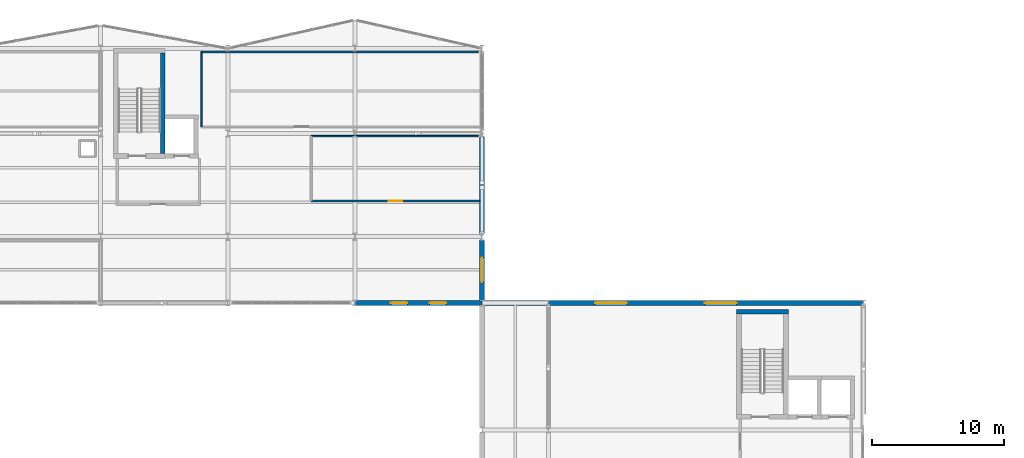
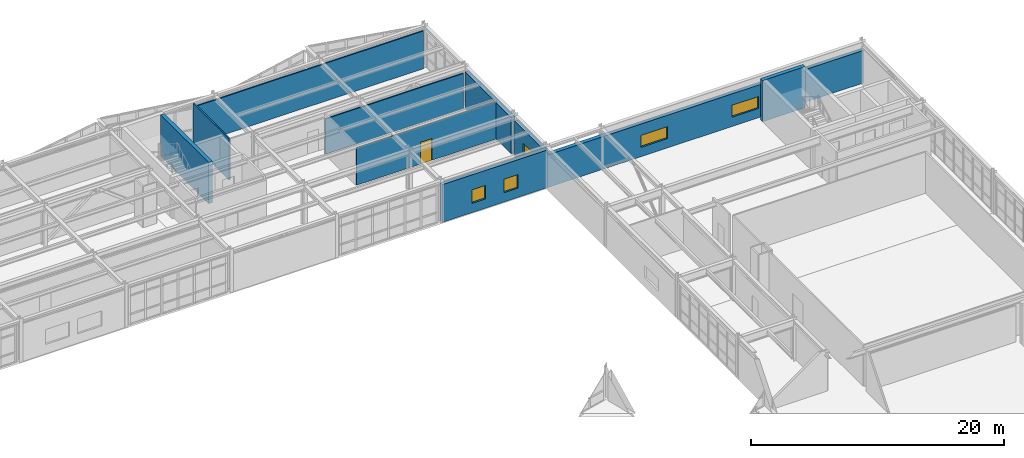
# One storey, part 76 of 88: 10 walls, 5 windows, 1 door, 6 openings.
"""IFC4 building model written with IfcOpenShell, lengths in metres."""

import ifcopenshell
import ifcopenshell.guid

model = None  # the IFC model being written
_history = None  # IfcOwnerHistory: only IFC2X3 demands one
_inside = {}  # id of a spatial element -> (the spatial element, [elements in it])
_under = {}  # id of a project, library or spatial element -> (it, [spatial elements below it])
_declared = {}  # id of a project -> (the project, [libraries it declares])
_typed = {}  # id of a type object -> (the type object, [elements of that type])
_made_of = {}  # id of a material, layer set ... -> (it, [elements and type objects made of it])


def new_model(schema):
    """Start an empty IFC model of exactly this schema.

    Asked for "IFC4X3", IfcOpenShell would pick the latest addendum, in which some entities
    have other attributes; the version numbers below select the first issue.
    IFC2X3 requires an IfcOwnerHistory on every rooted entity: one is made here for all.
    """
    global model, _history
    if schema == "IFC4X3":
        model = ifcopenshell.file(schema_version=(4, 3, 0, 0))
    else:
        model = ifcopenshell.file(schema=schema)
    _inside.clear()
    _under.clear()
    _declared.clear()
    _typed.clear()
    _made_of.clear()
    _history = None
    if model.schema == "IFC2X3":
        org = make("IfcOrganization", Name="unknown")
        user = make(
            "IfcPersonAndOrganization",
            ThePerson=make("IfcPerson", FamilyName="unknown"),
            TheOrganization=org,
        )
        app = make(
            "IfcApplication",
            ApplicationDeveloper=org,
            Version="unknown",
            ApplicationFullName="unknown",
            ApplicationIdentifier="unknown",
        )
        _history = make(
            "IfcOwnerHistory",
            OwningUser=user,
            OwningApplication=app,
            ChangeAction="ADDED",
            CreationDate=0,
        )
    return model


def make(cls, **values):
    """One entity of the class cls with the attributes given. An attribute that is None is left unset."""
    return model.create_entity(
        cls, **{name: value for name, value in values.items() if value is not None}
    )


def rooted(cls, **values):
    """An entity with a GlobalId (a new one), such as an element, a storey or a relation."""
    return make(cls, GlobalId=ifcopenshell.guid.new(), OwnerHistory=_history, **values)


def si_unit(unit_type, name, prefix=None):
    """IfcSIUnit, for example si_unit("LENGTHUNIT", "METRE", prefix="MILLI")."""
    return make("IfcSIUnit", UnitType=unit_type, Prefix=prefix, Name=name)


def assignment(units):
    """IfcUnitAssignment: the units of a project."""
    return None if units is None else make("IfcUnitAssignment", Units=units)


def point(xyz):
    """IfcCartesianPoint."""
    return None if xyz is None else make("IfcCartesianPoint", Coordinates=xyz)


def direction(xyz):
    """IfcDirection."""
    return None if xyz is None else make("IfcDirection", DirectionRatios=xyz)


def frame(location, z_axis=None, x_axis=None):
    """IfcAxis2Placement3D, a coordinate frame: its origin and axes. An axis left out is left unset."""
    return make(
        "IfcAxis2Placement3D",
        Location=point(location),
        Axis=direction(z_axis),
        RefDirection=direction(x_axis),
    )


def frame_2d(location, x_axis=None):
    """IfcAxis2Placement2D, a coordinate frame in the plane: its origin and x axis."""
    return make(
        "IfcAxis2Placement2D", Location=point(location), RefDirection=direction(x_axis)
    )


def origin():
    """The frame at (0, 0, 0) with its axes left unset."""
    return frame((0.0, 0.0, 0.0))


def place(relative_to, where):
    """IfcLocalPlacement: puts the frame where relative to a parent placement (None: the world)."""
    return make(
        "IfcLocalPlacement", PlacementRelTo=relative_to, RelativePlacement=where
    )


def context(
    kind, dimensions, precision=None, world=None, true_north=None, identifier=None
):
    """IfcGeometricRepresentationContext, for example the 3D "Model" context."""
    return make(
        "IfcGeometricRepresentationContext",
        ContextIdentifier=identifier,
        ContextType=kind,
        CoordinateSpaceDimension=dimensions,
        Precision=precision,
        WorldCoordinateSystem=world,
        TrueNorth=true_north,
    )


def subcontext(parent, identifier, kind, view, scale=None):
    """IfcGeometricRepresentationSubContext, for example "Body" below "Model"."""
    return make(
        "IfcGeometricRepresentationSubContext",
        ContextIdentifier=identifier,
        ContextType=kind,
        ParentContext=parent,
        TargetScale=scale,
        TargetView=view,
    )


def project(units=None, contexts=None):
    """IfcProject with its units and contexts."""
    return rooted(
        "IfcProject",
        Name="project",
        RepresentationContexts=contexts,
        UnitsInContext=assignment(units),
    )


def spatial(cls, under=None, at=None, **own):
    """A site, building, storey or space (cls), placed at a placement, below another one or the project."""
    s = rooted(cls, ObjectPlacement=at, **own)
    if under is not None:
        _under.setdefault(under.id(), (under, []))[1].append(s)
    return s


def profile(cls, at=None, kind="AREA", **sizes):
    """A parametric profile (cls). Its sizes go by their IFC names, for example OverallWidth=200.0."""
    return make(cls, ProfileType=kind, Position=at, **sizes)


def rectangle(**sizes):
    """IfcRectangleProfileDef."""
    return profile("IfcRectangleProfileDef", **sizes)


def extrude(swept, where, along, depth):
    """IfcExtrudedAreaSolid: the profile swept, set in the frame where, extruded along a direction by depth."""
    return make(
        "IfcExtrudedAreaSolid",
        SweptArea=swept,
        Position=where,
        ExtrudedDirection=direction(along),
        Depth=depth,
    )


def shape(context_of_items, identifier, shape_type, items):
    """IfcShapeRepresentation: the items that make up one representation, for example the "Body"."""
    return make(
        "IfcShapeRepresentation",
        ContextOfItems=context_of_items,
        RepresentationIdentifier=identifier,
        RepresentationType=shape_type,
        Items=items,
    )


def material(Name=None, Category=None):
    """IfcMaterial."""
    return make("IfcMaterial", Name=Name, Category=Category)


def layer(
    of_material, thickness, ventilated=None, Name=None, Category=None, Priority=None
):
    """IfcMaterialLayer: one layer of a wall or slab, of a material (None: an air gap)."""
    return make(
        "IfcMaterialLayer",
        Material=of_material,
        LayerThickness=thickness,
        IsVentilated=ventilated,
        Name=Name,
        Category=Category,
        Priority=Priority,
    )


def layer_set(layers, Name=None):
    """IfcMaterialLayerSet."""
    return make("IfcMaterialLayerSet", MaterialLayers=layers, LayerSetName=Name)


def made_of(thing, what):
    """Note that an element or type object is made of a material, layer set ...; save() writes the relation."""
    if what is not None:
        _made_of.setdefault(what.id(), (what, []))[1].append(thing)
    return thing


def type_object(cls, material=None, **own):
    """A type object (cls), such as IfcWallType, which elements share."""
    return made_of(rooted(cls, **own), material)


def element(
    cls,
    number,
    at=None,
    inside=None,
    cuts=None,
    type_object=None,
    material=None,
    context=None,
    identifier="Body",
    shape_type=None,
    held_by="IfcProductDefinitionShape",
    body=None,
    shapes=None,
    **own,
):
    """One element of the class cls, such as IfcWall. Its Tag is "e" and its number.

    at: its placement. inside: the storey or other place that contains it. cuts: it is an
    opening in that element (IfcRelVoidsElement). A single representation is given by context,
    identifier, shape_type and body (its items); several are given by shapes. held_by: the class
    of the entity that holds the representations. save() writes the other relations.
    """
    e = rooted(cls, Tag="e%d" % number, ObjectPlacement=at, **own)
    if body is not None:
        shapes = [shape(context, identifier, shape_type, body)]
    if shapes is not None:
        e.Representation = make(held_by, Representations=shapes)
    if inside is not None:
        _inside.setdefault(inside.id(), (inside, []))[1].append(e)
    if cuts is not None:
        rooted(
            "IfcRelVoidsElement", RelatingBuildingElement=cuts, RelatedOpeningElement=e
        )
    if type_object is not None:
        _typed.setdefault(type_object.id(), (type_object, []))[1].append(e)
    return made_of(e, material)


def fill(opening, filler):
    """IfcRelFillsElement: the door or window that sits in an opening."""
    return rooted(
        "IfcRelFillsElement",
        RelatingOpeningElement=opening,
        RelatedBuildingElement=filler,
    )


def aggregate(whole, parts):
    """IfcRelAggregates: a whole, such as a stair, and the parts it consists of."""
    return rooted("IfcRelAggregates", RelatingObject=whole, RelatedObjects=parts)


def save(model, path):
    """Write the relations noted so far, then the file.

    IfcRelAggregates (storeys below a building ...), IfcRelContainedInSpatialStructure (elements
    in a storey), IfcRelDefinesByType, IfcRelAssociatesMaterial and IfcRelDeclares: one each for
    every whole, place, type object, material and project.
    """
    for whole, parts in _under.values():
        aggregate(whole, parts)
    for where, things in _inside.values():
        rooted(
            "IfcRelContainedInSpatialStructure",
            RelatedElements=things,
            RelatingStructure=where,
        )
    for kind, things in _typed.values():
        rooted("IfcRelDefinesByType", RelatedObjects=things, RelatingType=kind)
    for what, things in _made_of.values():
        rooted("IfcRelAssociatesMaterial", RelatedObjects=things, RelatingMaterial=what)
    for by, libraries in _declared.values():
        rooted("IfcRelDeclares", RelatingContext=by, RelatedDefinitions=libraries)
    model.write(path)


model = new_model("IFC4")

# Units and contexts
model_context = context("Model", 3, precision=1e-05, world=origin(), true_north=direction((0.0, 1.0)))
body_context = subcontext(model_context, "Body", "Model", "MODEL_VIEW")
ifc_project = project(units=[si_unit("LENGTHUNIT", "METRE"), si_unit("AREAUNIT", "SQUARE_METRE"), si_unit("VOLUMEUNIT", "CUBIC_METRE"), si_unit("PLANEANGLEUNIT", "RADIAN"), si_unit("MASSUNIT", "GRAM", prefix="KILO")], contexts=[model_context])

# Site, building, storey
site_placement = place(None, origin())
site = spatial("IfcSite", under=ifc_project, at=site_placement, CompositionType="ELEMENT")
building_placement = place(site_placement, origin())
building = spatial("IfcBuilding", under=site, at=building_placement, Name="Nordkorset Police Headquarters", CompositionType="ELEMENT")
storey_placement = place(building_placement, frame((0.0, 0.0, 9.449951171875)))
storey = spatial("IfcBuildingStorey", under=building, at=storey_placement, Name="L02", CompositionType="ELEMENT", Elevation=9.449951171875)

# Walls
ifc_material_1 = material(Name="Concrete C35/45", Category="concrete")
ifc_layer_1 = layer(ifc_material_1, 0.35009765625, Name="Concrete C35/45")
ifc_layer_set_1 = layer_set([ifc_layer_1], Name="Concrete C35/45")
wall_type_1 = type_object("IfcWallType", Name="Wall_CoreShear_350", PredefinedType="SHEAR", material=ifc_layer_set_1)
wall_1_placement = place(storey_placement, frame((62.300048828125, 108.875, 0.0), z_axis=(0.0, 0.0, 1.0), x_axis=(0.0, 1.0, 0.0)))
element("IfcWall", 1, at=wall_1_placement, inside=storey, type_object=wall_type_1, Name="Core K2 Stair Shaft East Shear Wall L02", PredefinedType="SHEAR", context=body_context, shape_type="SweptSolid", body=[
    extrude(rectangle(XDim=7.60009765625, YDim=0.35009765625, at=frame_2d((3.800048828125, 0.0))), origin(), (0.0, 0.0, 1.0), 3.969970703125),
])
wall_2_placement = place(storey_placement, frame((105.625, 96.949951171875, 0.0), z_axis=(0.0, 0.0, 1.0), x_axis=(1.0, 0.0, 0.0)))
element("IfcWall", 2, at=wall_2_placement, inside=storey, type_object=wall_type_1, Name="Core K5 Stair Shaft North Shear Wall L02", PredefinedType="SHEAR", context=body_context, shape_type="SweptSolid", body=[
    extrude(rectangle(XDim=3.89990234375, YDim=0.35009765625, at=frame_2d((1.949951171875, 0.0))), origin(), (0.0, 0.0, 1.0), 3.969970703125),
])

# Wall, openings, windows
ifc_material_2 = material(Name="Precast concrete C40/50", Category="concrete")
ifc_layer_2 = layer(ifc_material_2, 0.360107421875, Name="Precast concrete C40/50")
ifc_layer_set_2 = layer_set([ifc_layer_2], Name="Precast concrete C40/50")
wall_type_2 = type_object("IfcWallType", Name="Wall_ExtPrecast_360", PredefinedType="SOLIDWALL", material=ifc_layer_set_2)
wall_3_placement = place(storey_placement, frame((76.808837890625, 97.60009765625, 0.0), z_axis=(0.0, 0.0, 1.0), x_axis=(1.0, 0.0, 0.0)))
wall_3 = element("IfcWall", 3, at=wall_3_placement, inside=storey, type_object=wall_type_2, Name="Exterior Insulated Precast Wall L02 V2S-5", PredefinedType="SOLIDWALL", context=body_context, shape_type="SweptSolid", body=[
    extrude(rectangle(XDim=9.58251953125, YDim=0.360107421875, at=frame_2d((4.791259765625, 0.0))), origin(), (0.0, 0.0, 1.0), 3.635009765625),
])
opening_1_placement = place(wall_3_placement, frame((2.69970703125, 0.0, 0.89990234375)))
opening_1 = element("IfcOpeningElement", 4, at=opening_1_placement, cuts=wall_3, Name="Opening WN-03", PredefinedType="OPENING", context=body_context, shape_type="SweptSolid", body=[
    extrude(rectangle(XDim=1.25, YDim=1.300048828125, at=frame_2d((0.625, 0.64990234375))), frame((0.0, 0.18994140625, 0.0), z_axis=(0.0, -1.0, 0.0), x_axis=(1.0, 0.0, 0.0)), (0.0, 0.0, 1.0), 0.380126953125),
])
opening_2_placement = place(wall_3_placement, frame((5.633056640625, 0.0, 0.89990234375)))
opening_2 = element("IfcOpeningElement", 5, at=opening_2_placement, cuts=wall_3, Name="Opening WN-03", PredefinedType="OPENING", context=body_context, shape_type="SweptSolid", body=[
    extrude(rectangle(XDim=1.25, YDim=1.300048828125, at=frame_2d((0.625, 0.64990234375))), frame((0.0, 0.18994140625, 0.0), z_axis=(0.0, -1.0, 0.0), x_axis=(1.0, 0.0, 0.0)), (0.0, 0.0, 1.0), 0.380126953125),
])
ifc_material_3 = material(Name="Low-iron triple glazing", Category="glass")
window_type_1 = type_object("IfcWindowType", Name="Win_1250x1300", PartitioningType="SINGLE_PANEL", PredefinedType="WINDOW", material=ifc_material_3)
window_1_placement = place(opening_1_placement, origin())
window_1 = element("IfcWindow", 6, at=window_1_placement, inside=storey, type_object=window_type_1, Name="Triple-Glazed Exterior Window L02 V2S-5-1", OverallHeight=1.300048828125, OverallWidth=1.25, PartitioningType="SINGLE_PANEL", PredefinedType="WINDOW", context=body_context, shape_type="SweptSolid", body=[
    extrude(rectangle(XDim=1.25, YDim=1.300048828125, at=frame_2d((0.625, 0.64990234375))), frame((0.0, 0.030029296875, 0.0), z_axis=(0.0, -1.0, 0.0), x_axis=(1.0, 0.0, 0.0)), (0.0, 0.0, 1.0), 0.06005859375),
])
fill(opening_1, window_1)
window_2_placement = place(opening_2_placement, origin())
window_2 = element("IfcWindow", 7, at=window_2_placement, inside=storey, type_object=window_type_1, Name="Triple-Glazed Exterior Window L02 V2S-5-2", OverallHeight=1.300048828125, OverallWidth=1.25, PartitioningType="SINGLE_PANEL", PredefinedType="WINDOW", context=body_context, shape_type="SweptSolid", body=[
    extrude(rectangle(XDim=1.25, YDim=1.300048828125, at=frame_2d((0.625, 0.64990234375))), frame((0.0, 0.030029296875, 0.0), z_axis=(0.0, -1.0, 0.0), x_axis=(1.0, 0.0, 0.0)), (0.0, 0.0, 1.0), 0.06005859375),
])
fill(opening_2, window_2)

# Wall, opening, window
wall_4_placement = place(storey_placement, frame((86.39990234375, 97.802001953125, 0.0), z_axis=(0.0, 0.0, 1.0), x_axis=(0.0, 1.0, 0.0)))
wall_4 = element("IfcWall", 8, at=wall_4_placement, inside=storey, type_object=wall_type_2, Name="Exterior Insulated Precast Wall L02 V2E-0A", PredefinedType="SOLIDWALL", context=body_context, shape_type="SweptSolid", body=[
    extrude(rectangle(XDim=4.5458984375, YDim=0.360107421875, at=frame_2d((2.27294921875, 0.0))), origin(), (0.0, 0.0, 1.0), 3.510009765625),
])
opening_3_placement = place(wall_4_placement, frame((1.373046875, 0.0, 0.89990234375)))
opening_3 = element("IfcOpeningElement", 9, at=opening_3_placement, cuts=wall_4, Name="Opening WN-20", PredefinedType="OPENING", context=body_context, shape_type="SweptSolid", body=[
    extrude(rectangle(XDim=1.85009765625, YDim=1.300048828125, at=frame_2d((0.925048828125, 0.64990234375))), frame((0.0, 0.18994140625, 0.0), z_axis=(0.0, -1.0, 0.0), x_axis=(1.0, 0.0, 0.0)), (0.0, 0.0, 1.0), 0.380126953125),
])
ifc_material_4 = material(Name="Low-iron triple glazing", Category="glass")
window_type_2 = type_object("IfcWindowType", Name="Win_1850x1300", PartitioningType="SINGLE_PANEL", PredefinedType="WINDOW", material=ifc_material_4)
window_3_placement = place(opening_3_placement, origin())
window_3 = element("IfcWindow", 10, at=window_3_placement, inside=storey, type_object=window_type_2, Name="Triple-Glazed Exterior Window L02 V2E-0A-1", OverallHeight=1.300048828125, OverallWidth=1.85009765625, PartitioningType="SINGLE_PANEL", PredefinedType="WINDOW", context=body_context, shape_type="SweptSolid", body=[
    extrude(rectangle(XDim=1.85009765625, YDim=1.300048828125, at=frame_2d((0.925048828125, 0.64990234375))), frame((0.0, 0.030029296875, 0.0), z_axis=(0.0, -1.0, 0.0), x_axis=(1.0, 0.0, 0.0)), (0.0, 0.0, 1.0), 0.06005859375),
])
fill(opening_3, window_3)

# Wall
wall_5_placement = place(storey_placement, frame((86.39990234375, 102.85205078125, 0.0), z_axis=(0.0, 0.0, 1.0), x_axis=(0.0, 1.0, 0.0)))
element("IfcWall", 11, at=wall_5_placement, inside=storey, type_object=wall_type_2, Name="Exterior Insulated Precast Wall L02 V2E-0B", PredefinedType="SOLIDWALL", context=body_context, shape_type="SweptSolid", body=[
    extrude(rectangle(XDim=7.2958984375, YDim=0.360107421875, at=frame_2d((3.64794921875, 0.0))), origin(), (0.0, 0.0, 1.0), 3.510009765625),
])

# Wall, openings, windows
wall_6_placement = place(storey_placement, frame((86.40869140625, 97.60009765625, 0.0), z_axis=(0.0, 0.0, 1.0), x_axis=(1.0, 0.0, 0.0)))
wall_6 = element("IfcWall", 12, at=wall_6_placement, inside=storey, type_object=wall_type_2, Name="Exterior Insulated Precast Wall L02 V5N-0", PredefinedType="SOLIDWALL", context=body_context, shape_type="SweptSolid", body=[
    extrude(rectangle(XDim=28.782470703125, YDim=0.360107421875, at=frame_2d((14.39111328125, 0.0))), origin(), (0.0, 0.0, 1.0), 3.14501953125),
])
opening_4_placement = place(wall_6_placement, frame((8.524658203125, 0.0, 0.89990234375)))
opening_4 = element("IfcOpeningElement", 13, at=opening_4_placement, cuts=wall_6, Name="Opening WN-31", PredefinedType="OPENING", context=body_context, shape_type="SweptSolid", body=[
    extrude(rectangle(XDim=2.39990234375, YDim=1.14990234375, at=frame_2d((1.199951171875, 0.574951171875))), frame((0.0, 0.18994140625, 0.0), z_axis=(0.0, -1.0, 0.0), x_axis=(1.0, 0.0, 0.0)), (0.0, 0.0, 1.0), 0.380126953125),
])
opening_5_placement = place(wall_6_placement, frame((16.80810546875, 0.0, 0.89990234375)))
opening_5 = element("IfcOpeningElement", 14, at=opening_5_placement, cuts=wall_6, Name="Opening WN-31", PredefinedType="OPENING", context=body_context, shape_type="SweptSolid", body=[
    extrude(rectangle(XDim=2.39990234375, YDim=1.14990234375, at=frame_2d((1.199951171875, 0.574951171875))), frame((0.0, 0.18994140625, 0.0), z_axis=(0.0, -1.0, 0.0), x_axis=(1.0, 0.0, 0.0)), (0.0, 0.0, 1.0), 0.380126953125),
])
ifc_material_5 = material(Name="Low-iron triple glazing", Category="glass")
window_type_3 = type_object("IfcWindowType", Name="Win_2400x1150", PartitioningType="SINGLE_PANEL", PredefinedType="WINDOW", material=ifc_material_5)
window_4_placement = place(opening_4_placement, origin())
window_4 = element("IfcWindow", 15, at=window_4_placement, inside=storey, type_object=window_type_3, Name="Triple-Glazed Exterior Window L02 V5N-0-1", OverallHeight=1.14990234375, OverallWidth=2.39990234375, PartitioningType="SINGLE_PANEL", PredefinedType="WINDOW", context=body_context, shape_type="SweptSolid", body=[
    extrude(rectangle(XDim=2.39990234375, YDim=1.14990234375, at=frame_2d((1.199951171875, 0.574951171875))), frame((0.0, 0.030029296875, 0.0), z_axis=(0.0, -1.0, 0.0), x_axis=(1.0, 0.0, 0.0)), (0.0, 0.0, 1.0), 0.06005859375),
])
fill(opening_4, window_4)
window_5_placement = place(opening_5_placement, origin())
window_5 = element("IfcWindow", 16, at=window_5_placement, inside=storey, type_object=window_type_3, Name="Triple-Glazed Exterior Window L02 V5N-0-2", OverallHeight=1.14990234375, OverallWidth=2.39990234375, PartitioningType="SINGLE_PANEL", PredefinedType="WINDOW", context=body_context, shape_type="SweptSolid", body=[
    extrude(rectangle(XDim=2.39990234375, YDim=1.14990234375, at=frame_2d((1.199951171875, 0.574951171875))), frame((0.0, 0.030029296875, 0.0), z_axis=(0.0, -1.0, 0.0), x_axis=(1.0, 0.0, 0.0)), (0.0, 0.0, 1.0), 0.06005859375),
])
fill(opening_5, window_5)

# Walls
ifc_material_6 = material(Name="Gypsum board", Category="gypsum")
ifc_layer_3 = layer(ifc_material_6, 0.1201171875, Name="Gypsum board")
ifc_layer_set_3 = layer_set([ifc_layer_3], Name="Gypsum board")
wall_type_3 = type_object("IfcWallType", Name="Wall_Part_120", PredefinedType="PARTITIONING", material=ifc_layer_set_3)
wall_7_placement = place(storey_placement, frame((86.10009765625, 116.550048828125, 0.0), z_axis=(0.0, 0.0, 1.0), x_axis=(-1.0, 0.0, 0.0)))
element("IfcWall", 17, at=wall_7_placement, inside=storey, type_object=wall_type_3, Name="Interior Partition Wall Missing Persons Investigation Unit", PredefinedType="PARTITIONING", context=body_context, shape_type="SweptSolid", body=[
    extrude(rectangle(XDim=20.900146484375, YDim=0.1201171875, at=frame_2d((10.4501953125, 0.0))), origin(), (0.0, 0.0, 1.0), 3.64013671875),
])
wall_8_placement = place(storey_placement, frame((65.199951171875, 116.550048828125, 0.0), z_axis=(0.0, 0.0, 1.0), x_axis=(0.0, -1.0, 0.0)))
element("IfcWall", 18, at=wall_8_placement, inside=storey, type_object=wall_type_3, Name="Interior Partition Wall Missing Persons Investigation Unit", PredefinedType="PARTITIONING", context=body_context, shape_type="SweptSolid", body=[
    extrude(rectangle(XDim=5.650146484375, YDim=0.1201171875, at=frame_2d((2.8251953125, 0.0))), origin(), (0.0, 0.0, 1.0), 3.969970703125),
])

# Wall, opening, door
wall_9_placement = place(storey_placement, frame((73.5, 105.300048828125, 0.0), z_axis=(0.0, 0.0, 1.0), x_axis=(1.0, 0.0, 0.0)))
wall_9 = element("IfcWall", 19, at=wall_9_placement, inside=storey, type_object=wall_type_3, Name="Interior Partition Wall Case Evidence Review Room", PredefinedType="PARTITIONING", context=body_context, shape_type="SweptSolid", body=[
    extrude(rectangle(XDim=12.72509765625, YDim=0.1201171875, at=frame_2d((6.362548828125, 0.0))), origin(), (0.0, 0.0, 1.0), 3.590087890625),
])
opening_6_placement = place(wall_9_placement, frame((5.8525390625, 0.0, 0.0)))
opening_6 = element("IfcOpeningElement", 20, at=opening_6_placement, cuts=wall_9, Name="Opening DR-19", PredefinedType="OPENING", context=body_context, shape_type="SweptSolid", body=[
    extrude(rectangle(XDim=1.02001953125, YDim=2.10009765625, at=frame_2d((0.510009765625, 1.050048828125))), frame((0.0, 0.070068359375, 0.0), z_axis=(0.0, -1.0, 0.0), x_axis=(1.0, 0.0, 0.0)), (0.0, 0.0, 1.0), 0.14013671875),
])
ifc_material_7 = material(Name="Glulam GL30c", Category="wood")
door_type = type_object("IfcDoorType", Name="Door_Office_1020x2100", OperationType="NOTDEFINED", PredefinedType="DOOR", material=ifc_material_7)
door_placement = place(opening_6_placement, origin())
door = element("IfcDoor", 21, at=door_placement, inside=storey, type_object=door_type, Name="Interior Door Case Evidence Review Room", OperationType="SINGLE_SWING_LEFT", OverallHeight=2.10009765625, OverallWidth=1.02001953125, PredefinedType="DOOR", context=body_context, shape_type="SweptSolid", body=[
    extrude(rectangle(XDim=1.02001953125, YDim=2.10009765625, at=frame_2d((0.510009765625, 1.050048828125))), frame((0.0, 0.02490234375, 0.0), z_axis=(0.0, -1.0, 0.0), x_axis=(1.0, 0.0, 0.0)), (0.0, 0.0, 1.0), 0.050048828125),
])
fill(opening_6, door)

# Wall
wall_10_placement = place(storey_placement, frame((86.10009765625, 110.199951171875, 0.0), z_axis=(0.0, 0.0, 1.0), x_axis=(-1.0, 0.0, 0.0)))
element("IfcWall", 22, at=wall_10_placement, inside=storey, type_object=wall_type_3, Name="Interior Partition Wall Case Evidence Review Room", PredefinedType="PARTITIONING", context=body_context, shape_type="SweptSolid", body=[
    extrude(rectangle(XDim=12.60009765625, YDim=0.1201171875, at=frame_2d((6.300048828125, 0.0))), origin(), (0.0, 0.0, 1.0), 3.41015625),
])

save(model, "model.ifc")
